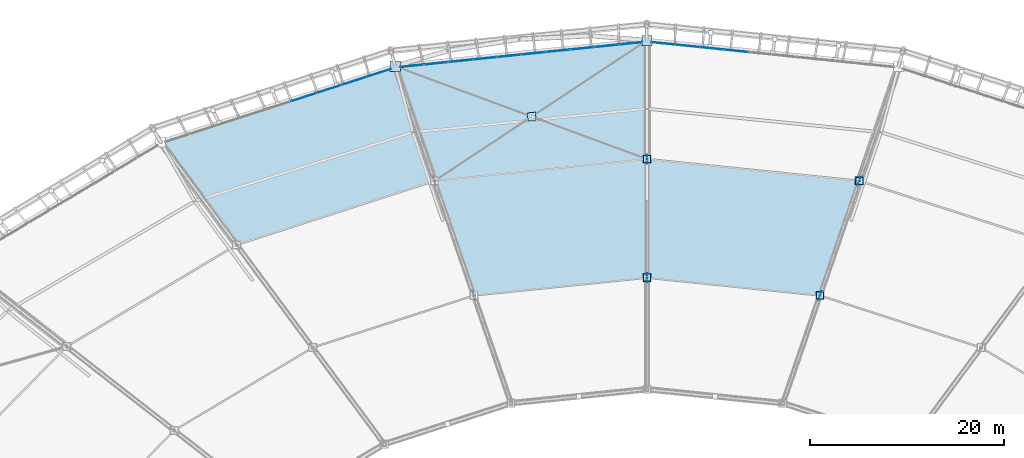
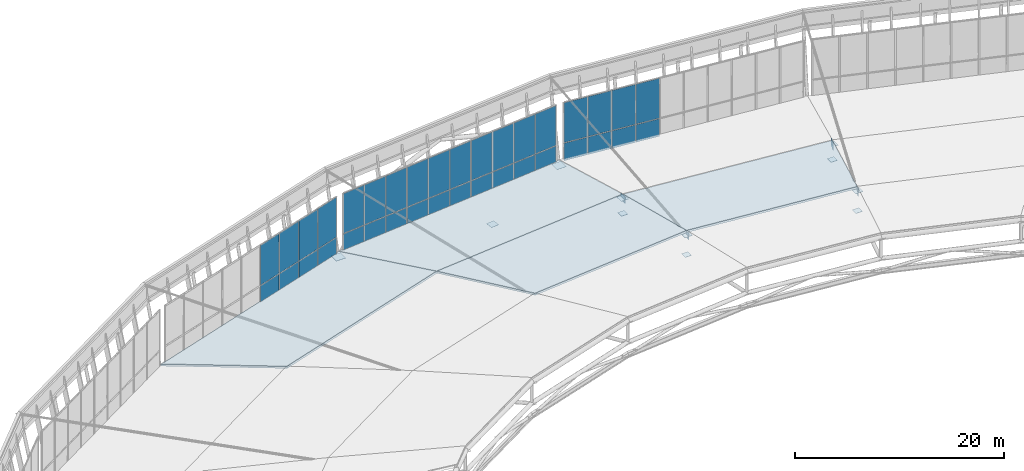
# One storey, part 97 of 115: 51 plates, 4 slabs, 5 elements without a shape of their own.
"""IFC4 building model written with IfcOpenShell, lengths in metres."""

from ifc_helpers import new_model, si_unit, direction, frame, origin, origin_2d, place, context, subcontext, project, spatial, polyline, rectangle, outline, extrude, material, layer, layer_set, type_object, element, aggregate, save


model = new_model("IFC4")

# Units and contexts
model_context = context("Model", 3, precision=1e-05, world=origin(), true_north=direction((0.0, 1.0)))
body_context = subcontext(model_context, "Body", "Model", "MODEL_VIEW")
ifc_project = project(units=[si_unit("LENGTHUNIT", "METRE"), si_unit("AREAUNIT", "SQUARE_METRE"), si_unit("VOLUMEUNIT", "CUBIC_METRE"), si_unit("PLANEANGLEUNIT", "RADIAN"), si_unit("MASSUNIT", "GRAM", prefix="KILO")], contexts=[model_context])

# Site, building, storey
site_placement = place(None, origin())
site = spatial("IfcSite", under=ifc_project, at=site_placement, CompositionType="ELEMENT")
building_placement = place(site_placement, origin())
building = spatial("IfcBuilding", under=site, at=building_placement, Name="Zlatoyarsky Gate Stadium", CompositionType="ELEMENT")
storey_placement = place(building_placement, frame((0.0, 0.0, 31.800048828125)))
storey = spatial("IfcBuildingStorey", under=building, at=storey_placement, Name="RF", CompositionType="ELEMENT", Elevation=31.800048828125)

# Curtain wall, plates
ifc_material_1 = material(Name="Thermally broken anodised aluminium curtain wall", Category="aluminium")
curtain_wall_type_1 = type_object("IfcCurtainWallType", Name="MONUMENTAL ARCHED GATE GLAZING UPPER", PredefinedType="USERDEFINED", material=ifc_material_1)
curtain_wall_1_placement = place(storey_placement, origin())
curtain_wall_1 = element("IfcCurtainWall", 1, at=curtain_wall_1_placement, inside=storey, type_object=curtain_wall_type_1, Name="Curtain wall CW-RF-06", ObjectType="ARCHED GATE GLAZING", PredefinedType="USERDEFINED")
ifc_material_2 = material(Name="Triple-glazed argon low-e architectural glass", Category="glass")
ifc_layer_1 = layer(ifc_material_2, 0.0458984375)
ifc_layer_set_1 = layer_set([ifc_layer_1], Name="Triple-glazed argon low-e architectural glass")
plate_type_1 = type_object("IfcPlateType", Name="ACOUSTIC LAMINATED GATE GLAZING PANEL 46", PredefinedType="CURTAIN_PANEL", material=ifc_layer_set_1)
plate_1_placement = place(storey_placement, frame((109.33056640625, 157.71630859375, 0.074951171875), z_axis=(0.0, 0.0, 1.0), x_axis=(-0.994771556649, -0.102125168703, 0.0)))
plate_1 = element("IfcPlate", 2, at=plate_1_placement, type_object=plate_type_1, Name="CW-AG2 panel 1.1", PredefinedType="CURTAIN_PANEL", context=body_context, shape_type="SweptSolid", body=[
    extrude(rectangle(XDim=2.40625, YDim=0.0458984375, at=origin_2d()), origin(), (0.0, 0.0, 1.0), 2.03759765625),
])
plate_2_placement = place(storey_placement, frame((109.33056640625, 157.71630859375, 2.1875), z_axis=(0.0, 0.0, 1.0), x_axis=(-0.994771556649, -0.102125168703, 0.0)))
plate_2 = element("IfcPlate", 3, at=plate_2_placement, type_object=plate_type_1, Name="CW-AG2 panel 1.2", PredefinedType="CURTAIN_PANEL", context=body_context, shape_type="SweptSolid", body=[
    extrude(rectangle(XDim=2.40625, YDim=0.0458984375, at=origin_2d()), origin(), (0.0, 0.0, 1.0), 4.637451171875),
])
plate_3_placement = place(storey_placement, frame((106.843505859375, 157.4609375, 0.074951171875), z_axis=(0.0, 0.0, 1.0), x_axis=(-0.994771556649, -0.102125168703, 0.0)))
plate_3 = element("IfcPlate", 4, at=plate_3_placement, type_object=plate_type_1, Name="CW-AG2 panel 2.1", PredefinedType="CURTAIN_PANEL", context=body_context, shape_type="SweptSolid", body=[
    extrude(rectangle(XDim=2.44384765625, YDim=0.0458984375, at=origin_2d()), origin(), (0.0, 0.0, 1.0), 2.03759765625),
])
plate_4_placement = place(storey_placement, frame((106.843505859375, 157.4609375, 2.1875), z_axis=(0.0, 0.0, 1.0), x_axis=(-0.994771556649, -0.102125168703, 0.0)))
plate_4 = element("IfcPlate", 5, at=plate_4_placement, type_object=plate_type_1, Name="CW-AG2 panel 2.2", PredefinedType="CURTAIN_PANEL", context=body_context, shape_type="SweptSolid", body=[
    extrude(rectangle(XDim=2.44384765625, YDim=0.0458984375, at=origin_2d()), origin(), (0.0, 0.0, 1.0), 4.637451171875),
])
plate_5_placement = place(storey_placement, frame((104.337890625, 157.20361328125, 0.074951171875), z_axis=(0.0, 0.0, 1.0), x_axis=(-0.994771556649, -0.102125168703, 0.0)))
plate_5 = element("IfcPlate", 6, at=plate_5_placement, type_object=plate_type_1, Name="CW-AG2 panel 3.1", PredefinedType="CURTAIN_PANEL", context=body_context, shape_type="SweptSolid", body=[
    extrude(rectangle(XDim=2.44384765625, YDim=0.0458984375, at=origin_2d()), origin(), (0.0, 0.0, 1.0), 2.03759765625),
])
plate_6_placement = place(storey_placement, frame((104.337890625, 157.20361328125, 2.1875), z_axis=(0.0, 0.0, 1.0), x_axis=(-0.994771556649, -0.102125168703, 0.0)))
plate_6 = element("IfcPlate", 7, at=plate_6_placement, type_object=plate_type_1, Name="CW-AG2 panel 3.2", PredefinedType="CURTAIN_PANEL", context=body_context, shape_type="SweptSolid", body=[
    extrude(rectangle(XDim=2.44384765625, YDim=0.0458984375, at=origin_2d()), origin(), (0.0, 0.0, 1.0), 4.637451171875),
])
plate_7_placement = place(storey_placement, frame((101.83203125, 156.946533203125, 0.074951171875), z_axis=(0.0, 0.0, 1.0), x_axis=(-0.994771556649, -0.102125168703, 0.0)))
plate_7 = element("IfcPlate", 8, at=plate_7_placement, type_object=plate_type_1, Name="CW-AG2 panel 4.1", PredefinedType="CURTAIN_PANEL", context=body_context, shape_type="SweptSolid", body=[
    extrude(rectangle(XDim=2.44384765625, YDim=0.0458984375, at=origin_2d()), origin(), (0.0, 0.0, 1.0), 2.03759765625),
])
plate_8_placement = place(storey_placement, frame((101.83203125, 156.946533203125, 2.1875), z_axis=(0.0, 0.0, 1.0), x_axis=(-0.994771556649, -0.102125168703, 0.0)))
plate_8 = element("IfcPlate", 9, at=plate_8_placement, type_object=plate_type_1, Name="CW-AG2 panel 4.2", PredefinedType="CURTAIN_PANEL", context=body_context, shape_type="SweptSolid", body=[
    extrude(rectangle(XDim=2.44384765625, YDim=0.0458984375, at=origin_2d()), origin(), (0.0, 0.0, 1.0), 4.637451171875),
])
plate_9_placement = place(storey_placement, frame((99.326416015625, 156.689208984375, 0.074951171875), z_axis=(0.0, 0.0, 1.0), x_axis=(-0.994771556649, -0.102125168703, 0.0)))
plate_9 = element("IfcPlate", 10, at=plate_9_placement, type_object=plate_type_1, Name="CW-AG2 panel 5.1", PredefinedType="CURTAIN_PANEL", context=body_context, shape_type="SweptSolid", body=[
    extrude(rectangle(XDim=2.44384765625, YDim=0.0458984375, at=origin_2d()), origin(), (0.0, 0.0, 1.0), 2.03759765625),
])
plate_10_placement = place(storey_placement, frame((99.326416015625, 156.689208984375, 2.1875), z_axis=(0.0, 0.0, 1.0), x_axis=(-0.994771556649, -0.102125168703, 0.0)))
plate_10 = element("IfcPlate", 11, at=plate_10_placement, type_object=plate_type_1, Name="CW-AG2 panel 5.2", PredefinedType="CURTAIN_PANEL", context=body_context, shape_type="SweptSolid", body=[
    extrude(rectangle(XDim=2.44384765625, YDim=0.0458984375, at=origin_2d()), origin(), (0.0, 0.0, 1.0), 4.637451171875),
])
plate_11_placement = place(storey_placement, frame((96.82080078125, 156.431884765625, 0.074951171875), z_axis=(0.0, 0.0, 1.0), x_axis=(-0.994771556649, -0.102125168703, 0.0)))
plate_11 = element("IfcPlate", 12, at=plate_11_placement, type_object=plate_type_1, Name="CW-AG2 panel 6.1", PredefinedType="CURTAIN_PANEL", context=body_context, shape_type="SweptSolid", body=[
    extrude(rectangle(XDim=2.44384765625, YDim=0.0458984375, at=origin_2d()), origin(), (0.0, 0.0, 1.0), 2.03759765625),
])
plate_12_placement = place(storey_placement, frame((96.82080078125, 156.431884765625, 2.1875), z_axis=(0.0, 0.0, 1.0), x_axis=(-0.994771556649, -0.102125168703, 0.0)))
plate_12 = element("IfcPlate", 13, at=plate_12_placement, type_object=plate_type_1, Name="CW-AG2 panel 6.2", PredefinedType="CURTAIN_PANEL", context=body_context, shape_type="SweptSolid", body=[
    extrude(rectangle(XDim=2.44384765625, YDim=0.0458984375, at=origin_2d()), origin(), (0.0, 0.0, 1.0), 4.637451171875),
])
plate_13_placement = place(storey_placement, frame((94.31494140625, 156.1748046875, 0.074951171875), z_axis=(0.0, 0.0, 1.0), x_axis=(-0.994771556649, -0.102125168703, 0.0)))
plate_13 = element("IfcPlate", 14, at=plate_13_placement, type_object=plate_type_1, Name="CW-AG2 panel 7.1", PredefinedType="CURTAIN_PANEL", context=body_context, shape_type="SweptSolid", body=[
    extrude(rectangle(XDim=2.44384765625, YDim=0.0458984375, at=origin_2d()), origin(), (0.0, 0.0, 1.0), 2.03759765625),
])
plate_14_placement = place(storey_placement, frame((94.31494140625, 156.1748046875, 2.1875), z_axis=(0.0, 0.0, 1.0), x_axis=(-0.994771556649, -0.102125168703, 0.0)))
plate_14 = element("IfcPlate", 15, at=plate_14_placement, type_object=plate_type_1, Name="CW-AG2 panel 7.2", PredefinedType="CURTAIN_PANEL", context=body_context, shape_type="SweptSolid", body=[
    extrude(rectangle(XDim=2.44384765625, YDim=0.0458984375, at=origin_2d()), origin(), (0.0, 0.0, 1.0), 4.637451171875),
])
plate_15_placement = place(storey_placement, frame((91.809326171875, 155.91748046875, 0.074951171875), z_axis=(0.0, 0.0, 1.0), x_axis=(-0.994771556649, -0.102125168703, 0.0)))
plate_15 = element("IfcPlate", 16, at=plate_15_placement, type_object=plate_type_1, Name="CW-AG2 panel 8.1", PredefinedType="CURTAIN_PANEL", context=body_context, shape_type="SweptSolid", body=[
    extrude(rectangle(XDim=2.44384765625, YDim=0.0458984375, at=origin_2d()), origin(), (0.0, 0.0, 1.0), 2.03759765625),
])
plate_16_placement = place(storey_placement, frame((91.809326171875, 155.91748046875, 2.1875), z_axis=(0.0, 0.0, 1.0), x_axis=(-0.994771556649, -0.102125168703, 0.0)))
plate_16 = element("IfcPlate", 17, at=plate_16_placement, type_object=plate_type_1, Name="CW-AG2 panel 8.2", PredefinedType="CURTAIN_PANEL", context=body_context, shape_type="SweptSolid", body=[
    extrude(rectangle(XDim=2.44384765625, YDim=0.0458984375, at=origin_2d()), origin(), (0.0, 0.0, 1.0), 4.637451171875),
])
plate_17_placement = place(storey_placement, frame((89.3037109375, 155.66015625, 0.074951171875), z_axis=(0.0, 0.0, 1.0), x_axis=(-0.994771556649, -0.102125168703, 0.0)))
plate_17 = element("IfcPlate", 18, at=plate_17_placement, type_object=plate_type_1, Name="CW-AG2 panel 9.1", PredefinedType="CURTAIN_PANEL", context=body_context, shape_type="SweptSolid", body=[
    extrude(rectangle(XDim=2.44384765625, YDim=0.0458984375, at=origin_2d()), origin(), (0.0, 0.0, 1.0), 2.03759765625),
])
plate_18_placement = place(storey_placement, frame((89.3037109375, 155.66015625, 2.1875), z_axis=(0.0, 0.0, 1.0), x_axis=(-0.994771556649, -0.102125168703, 0.0)))
plate_18 = element("IfcPlate", 19, at=plate_18_placement, type_object=plate_type_1, Name="CW-AG2 panel 9.2", PredefinedType="CURTAIN_PANEL", context=body_context, shape_type="SweptSolid", body=[
    extrude(rectangle(XDim=2.44384765625, YDim=0.0458984375, at=origin_2d()), origin(), (0.0, 0.0, 1.0), 4.637451171875),
])
plate_19_placement = place(storey_placement, frame((86.816650390625, 155.405029296875, 0.074951171875), z_axis=(0.0, 0.0, 1.0), x_axis=(-0.994771556649, -0.102125168703, 0.0)))
plate_19 = element("IfcPlate", 20, at=plate_19_placement, type_object=plate_type_1, Name="CW-AG2 panel 10.1", PredefinedType="CURTAIN_PANEL", context=body_context, shape_type="SweptSolid", body=[
    extrude(rectangle(XDim=2.40625, YDim=0.0458984375, at=origin_2d()), origin(), (0.0, 0.0, 1.0), 2.03759765625),
])
plate_20_placement = place(storey_placement, frame((86.816650390625, 155.405029296875, 2.1875), z_axis=(0.0, 0.0, 1.0), x_axis=(-0.994771556649, -0.102125168703, 0.0)))
plate_20 = element("IfcPlate", 21, at=plate_20_placement, type_object=plate_type_1, Name="CW-AG2 panel 10.2", PredefinedType="CURTAIN_PANEL", context=body_context, shape_type="SweptSolid", body=[
    extrude(rectangle(XDim=2.40625, YDim=0.0458984375, at=origin_2d()), origin(), (0.0, 0.0, 1.0), 4.637451171875),
])
aggregate(curtain_wall_1, [plate_1, plate_2, plate_3, plate_4, plate_5, plate_6, plate_7, plate_8, plate_9, plate_10, plate_11, plate_12, plate_13, plate_14, plate_15, plate_16, plate_17, plate_18, plate_19, plate_20])

# Roof, slab
ifc_material_3 = material(Name="Standing-seam aluminium-zinc roofing with mineral wool insulation", Category="aluminium")
ifc_layer_2 = layer(ifc_material_3, 0.080078125)
ifc_layer_set_2 = layer_set([ifc_layer_2], Name="Standing-seam aluminium-zinc roofing with mineral wool insulation")
roof_type = type_object("IfcRoofType", Name="STADIUM BARREL VAULT ROOF ASSEMBLY", PredefinedType="BARREL_ROOF", material=ifc_layer_set_2)
roof_1_placement = place(storey_placement, origin())
roof_1 = element("IfcRoof", 22, at=roof_1_placement, inside=storey, type_object=roof_type, Name="Stadium barrel arch roof sector 2", PredefinedType="BARREL_ROOF")
ifc_material_4 = material(Name="Concrete C40/50", Category="concrete")
ifc_layer_3 = layer(ifc_material_4, 0.199951171875)
ifc_layer_set_3 = layer_set([ifc_layer_3], Name="Concrete C40/50")
slab_type = type_object("IfcSlabType", Name="COMPOSITE STADIUM ROOF DECK SLAB 200", PredefinedType="ROOF", material=ifc_layer_set_3)
slab_1_placement = place(storey_placement, frame((132.840087890625, 143.581298828125, 3.599853515625), z_axis=(0.025658712336, 0.249859215045, 0.967942148653), x_axis=(-0.994769061755, 0.102149467801, 1.557277e-06)))
slab_1 = element("IfcSlab", 23, at=slab_1_placement, type_object=slab_type, Name="Stadium arched roof deck sector 05 bay 2", PredefinedType="ROOF", context=body_context, shape_type="SweptSolid", body=[
    extrude(outline(polyline([(0.0, 0.0), (21.954931877115506, 0.0), (20.70836911967818, 12.541599680499349), (2.8237749582387486, 12.541846686090652), (0.0, 0.0)])), origin(), (0.0, 0.0, -1.0), 0.199951171875),
])
aggregate(roof_1, [slab_1])

# Roof, slabs
roof_2_placement = place(storey_placement, origin())
roof_2 = element("IfcRoof", 24, at=roof_2_placement, inside=storey, type_object=roof_type, Name="Stadium barrel arch roof sector 3", PredefinedType="BARREL_ROOF")
slab_2_placement = place(storey_placement, frame((111.0, 158.027587890625, 0.199951171875), z_axis=(-0.027549713933, 0.26827762125, 0.962947626405), x_axis=(-0.994768228243, -0.102157584529, 1.052656e-06)))
slab_2 = element("IfcSlab", 25, at=slab_2_placement, type_object=slab_type, Name="Stadium arched roof deck sector 06 bay 1", PredefinedType="ROOF", context=body_context, shape_type="SweptSolid", body=[
    extrude(outline(polyline([(0.0, 0.0), (26.02531947140747, 4.440892098500626e-16), (23.201627110592522, 12.606686405062462), (1.2466952342657893, 12.606873682931376), (0.0, 0.0)])), origin(), (0.0, 0.0, -1.0), 0.199951171875),
])
slab_3_placement = place(storey_placement, frame((111.0, 145.823974609375, 3.599853515625), z_axis=(-0.025658712336, 0.249859215045, 0.967942148653), x_axis=(-0.994769061755, -0.102149467801, -1.557277e-06)))
slab_3 = element("IfcSlab", 26, at=slab_3_placement, type_object=slab_type, Name="Stadium arched roof deck sector 06 bay 2", PredefinedType="ROOF", context=body_context, shape_type="SweptSolid", body=[
    extrude(outline(polyline([(0.0, 0.0), (21.954931877115506, 0.0), (19.13115691887676, 12.541846686090654), (1.2465627574373217, 12.541599680499349), (0.0, 0.0)])), origin(), (0.0, 0.0, -1.0), 0.199951171875),
])
slab_4_placement = place(storey_placement, frame((85.11083984375, 155.368896484375, 0.199951171875), z_axis=(-0.080926633941, 0.25045970369, 0.964738729785), x_axis=(-0.951561589275, -0.307458195234, -8.16732e-07)))
slab_4 = element("IfcSlab", 27, at=slab_4_placement, type_object=slab_type, Name="Stadium arched roof deck sector 07 bay 1", PredefinedType="ROOF", context=body_context, shape_type="SweptSolid", body=[
    extrude(outline(polyline([(0.0, 0.0), (25.352803638085895, 0.0), (21.158837114479507, 12.91716689231748), (-0.22875091544180007, 12.917021858119801), (0.0, 0.0)])), origin(), (0.0, 0.0, -1.0), 0.199951171875),
])
aggregate(roof_2, [slab_2, slab_3, slab_4])

# Plates
ifc_material_5 = material(Name="Steel S355", Category="steel")
ifc_layer_4 = layer(ifc_material_5, 0.02392578125)
ifc_layer_set_4 = layer_set([ifc_layer_4], Name="Steel S355")
plate_type_2 = type_object("IfcPlateType", Name="STEEL COMPRESSION RING NODE CAP SHEET 24", PredefinedType="SHEET", material=ifc_layer_set_4)
for number, where, z_axis, x_axis, name in (
    (28, (111.0, 158.027587890625, -0.4619140625), (0.0, 0.0, 1.0), (1.0, 0.0, 0.0), "Node closure plate ND-CR1 NCAP-CR-06"),
    (29, (85.111083984375, 155.368896484375, -0.4619140625), (0.0, 0.0, 1.0), (1.0, 0.0, 0.0), "Node closure plate ND-CR1 NCAP-CR-07"),
):
    element("IfcPlate", number, at=place(storey_placement, frame(where, z_axis=z_axis, x_axis=x_axis)), inside=storey, type_object=plate_type_2, Name=name, PredefinedType="SHEET", context=body_context, shape_type="SweptSolid", body=[
        extrude(rectangle(XDim=1.050048828125, YDim=1.050048828125, at=origin_2d()), origin(), (0.0, 0.0, 1.0), 0.02392578125),
    ])
ifc_layer_5 = layer(ifc_material_5, 0.02392578125)
ifc_layer_set_5 = layer_set([ifc_layer_5], Name="Steel S355")
plate_type_3 = type_object("IfcPlateType", Name="STEEL HOLLOW CHORD SPLICE SHEET 24", PredefinedType="SHEET", material=ifc_layer_set_5)
plate_21_placement = place(storey_placement, frame((132.840087890625, 143.581298828125, 3.137939453125), z_axis=(0.0, 0.0, 1.0), x_axis=(1.0, 0.0, 0.0)))
element("IfcPlate", 30, at=plate_21_placement, inside=storey, type_object=plate_type_3, Name="Node closure plate ND-SP1 NCAP-TCH-05-1", PredefinedType="SHEET", context=body_context, shape_type="SweptSolid", body=[
    extrude(rectangle(XDim=0.85009765625, YDim=0.85009765625, at=origin_2d()), origin(), (0.0, 0.0, 1.0), 0.02392578125),
])
plate_22_placement = place(storey_placement, frame((132.840087890625, 143.581298828125, 1.337890625), z_axis=(0.0, 0.0, 1.0), x_axis=(1.0, 0.0, 0.0)))
element("IfcPlate", 31, at=plate_22_placement, inside=storey, type_object=plate_type_3, Name="Node closure plate ND-SP1 NCAP-BCH-05-1", PredefinedType="SHEET", context=body_context, shape_type="SweptSolid", body=[
    extrude(rectangle(XDim=0.719970703125, YDim=0.719970703125, at=origin_2d()), origin(), (0.0, 0.0, 1.0), 0.02392578125),
])
plate_23_placement = place(storey_placement, frame((128.791015625, 131.79345703125, 6.2880859375), z_axis=(0.0, 0.0, 1.0), x_axis=(1.0, 0.0, 0.0)))
element("IfcPlate", 32, at=plate_23_placement, inside=storey, type_object=plate_type_3, Name="Node closure plate ND-SP1 NCAP-TCH-05-2", PredefinedType="SHEET", context=body_context, shape_type="SweptSolid", body=[
    extrude(rectangle(XDim=0.85009765625, YDim=0.85009765625, at=origin_2d()), origin(), (0.0, 0.0, 1.0), 0.02392578125),
])
plate_24_placement = place(storey_placement, frame((128.791015625, 131.79345703125, 3.93798828125), z_axis=(0.0, 0.0, 1.0), x_axis=(1.0, 0.0, 0.0)))
element("IfcPlate", 33, at=plate_24_placement, inside=storey, type_object=plate_type_3, Name="Node closure plate ND-SP1 NCAP-BCH-05-2", PredefinedType="SHEET", context=body_context, shape_type="SweptSolid", body=[
    extrude(rectangle(XDim=0.719970703125, YDim=0.719970703125, at=origin_2d()), origin(), (0.0, 0.0, 1.0), 0.02392578125),
])
plate_25_placement = place(storey_placement, frame((111.0, 145.82421875, 3.137939453125), z_axis=(0.0, 0.0, 1.0), x_axis=(1.0, 0.0, 0.0)))
element("IfcPlate", 34, at=plate_25_placement, inside=storey, type_object=plate_type_3, Name="Node closure plate ND-SP1 NCAP-TCH-06-1", PredefinedType="SHEET", context=body_context, shape_type="SweptSolid", body=[
    extrude(rectangle(XDim=0.85009765625, YDim=0.85009765625, at=origin_2d()), origin(), (0.0, 0.0, 1.0), 0.02392578125),
])
plate_26_placement = place(storey_placement, frame((111.0, 145.82421875, 1.337890625), z_axis=(0.0, 0.0, 1.0), x_axis=(1.0, 0.0, 0.0)))
element("IfcPlate", 35, at=plate_26_placement, inside=storey, type_object=plate_type_3, Name="Node closure plate ND-SP1 NCAP-BCH-06-1", PredefinedType="SHEET", context=body_context, shape_type="SweptSolid", body=[
    extrude(rectangle(XDim=0.719970703125, YDim=0.719970703125, at=origin_2d()), origin(), (0.0, 0.0, 1.0), 0.02392578125),
])
plate_27_placement = place(storey_placement, frame((111.0, 133.62060546875, 6.2880859375), z_axis=(0.0, 0.0, 1.0), x_axis=(1.0, 0.0, 0.0)))
element("IfcPlate", 36, at=plate_27_placement, inside=storey, type_object=plate_type_3, Name="Node closure plate ND-SP1 NCAP-TCH-06-2", PredefinedType="SHEET", context=body_context, shape_type="SweptSolid", body=[
    extrude(rectangle(XDim=0.85009765625, YDim=0.85009765625, at=origin_2d()), origin(), (0.0, 0.0, 1.0), 0.02392578125),
])
plate_28_placement = place(storey_placement, frame((111.0, 133.62060546875, 3.93798828125), z_axis=(0.0, 0.0, 1.0), x_axis=(1.0, 0.0, 0.0)))
element("IfcPlate", 37, at=plate_28_placement, inside=storey, type_object=plate_type_3, Name="Node closure plate ND-SP1 NCAP-BCH-06-2", PredefinedType="SHEET", context=body_context, shape_type="SweptSolid", body=[
    extrude(rectangle(XDim=0.719970703125, YDim=0.719970703125, at=origin_2d()), origin(), (0.0, 0.0, 1.0), 0.02392578125),
])
ifc_layer_6 = layer(ifc_material_5, 0.031982421875)
ifc_layer_set_6 = layer_set([ifc_layer_6], Name="Steel S355")
plate_type_4 = type_object("IfcPlateType", Name="STEEL RADIAL TRUSS GUSSET PLATE 32", PredefinedType="USERDEFINED", material=ifc_layer_set_6)
for number, where, z_axis, x_axis, name in (
    (38, (132.840087890625, 143.581298828125, 2.7900390625), (0.0, 0.0, 1.0), (-0.324866508477, -0.945759880556, 0.0), "Radial truss gusset plate ND-WB1 05.1"),
    (39, (128.791015625, 131.79345703125, 5.93994140625), (0.0, 0.0, 1.0), (-0.324866508477, -0.945759880556, 0.0), "Radial truss gusset plate ND-WB1 05.2"),
    (40, (111.0, 145.823974609375, 2.7900390625), (0.0, 0.0, 1.0), (0.0, -1.0, 0.0), "Radial truss gusset plate ND-WB1 06.1"),
    (41, (111.0, 133.62060546875, 5.93994140625), (0.0, 0.0, 1.0), (0.0, -1.0, 0.0), "Radial truss gusset plate ND-WB1 06.2"),
):
    element("IfcPlate", number, at=place(storey_placement, frame(where, z_axis=z_axis, x_axis=x_axis)), inside=storey, type_object=plate_type_4, Name=name, ObjectType="GUSSET PLATE", PredefinedType="USERDEFINED", context=body_context, shape_type="SweptSolid", body=[
        extrude(rectangle(XDim=0.919921875, YDim=0.031982421875, at=origin_2d()), origin(), (0.0, 0.0, 1.0), 0.719970703125),
    ])
ifc_layer_7 = layer(ifc_material_5, 0.02392578125)
ifc_layer_set_7 = layer_set([ifc_layer_7], Name="Steel S355")
plate_type_5 = type_object("IfcPlateType", Name="STEEL X BRACE CROSSING NODE PLATE 24", PredefinedType="USERDEFINED", material=ifc_layer_set_7)
plate_29_placement = place(storey_placement, frame((99.153564453125, 150.191650390625, 1.582275390625), z_axis=(0.0, 0.0, 1.0), x_axis=(-0.994774337437, -0.102098078224, 0.0)))
element("IfcPlate", 42, at=plate_29_placement, inside=storey, type_object=plate_type_5, Name="Roof wind X-brace crossing gusset plate ND-XB1 06", ObjectType="GUSSET PLATE", PredefinedType="USERDEFINED", context=body_context, shape_type="SweptSolid", body=[
    extrude(rectangle(XDim=0.840087890625, YDim=0.840087890625, at=origin_2d()), origin(), (0.0, 0.0, 1.0), 0.02392578125),
])

# Curtain wall, plates
curtain_wall_type_2 = type_object("IfcCurtainWallType", Name="UNITISED SKYBOX RING GLAZING L05", PredefinedType="USERDEFINED", material=ifc_material_1)
curtain_wall_2_placement = place(storey_placement, origin())
curtain_wall_2 = element("IfcCurtainWall", 43, at=curtain_wall_2_placement, inside=storey, type_object=curtain_wall_type_2, Name="Curtain wall CW-RF-05", ObjectType="UNITISED GLAZING", PredefinedType="USERDEFINED")
ifc_layer_8 = layer(ifc_material_2, 0.0380859375)
ifc_layer_set_8 = layer_set([ifc_layer_8], Name="Triple-glazed argon low-e architectural glass")
plate_type_6 = type_object("IfcPlateType", Name="TRIPLE GLAZED LOW E CURTAIN PANEL 38", PredefinedType="CURTAIN_PANEL", material=ifc_layer_set_8)
plate_30_placement = place(storey_placement, frame((120.16796875, 156.946533203125, 0.06494140625), z_axis=(0.0, 0.0, 1.0), x_axis=(-0.994771556649, 0.102125168703, 0.0)))
plate_30 = element("IfcPlate", 44, at=plate_30_placement, type_object=plate_type_6, Name="CW-UG5 panel 7.1", PredefinedType="CURTAIN_PANEL", context=body_context, shape_type="SweptSolid", body=[
    extrude(rectangle(XDim=2.453857421875, YDim=0.0380859375, at=origin_2d()), origin(), (0.0, 0.0, 1.0), 2.052490234375),
])
plate_31_placement = place(storey_placement, frame((120.16796875, 156.946533203125, 2.1826171875), z_axis=(0.0, 0.0, 1.0), x_axis=(-0.994771556649, 0.102125168703, 0.0)))
plate_31 = element("IfcPlate", 45, at=plate_31_placement, type_object=plate_type_6, Name="CW-UG5 panel 7.2", PredefinedType="CURTAIN_PANEL", context=body_context, shape_type="SweptSolid", body=[
    extrude(rectangle(XDim=2.453857421875, YDim=0.0380859375, at=origin_2d()), origin(), (0.0, 0.0, 1.0), 4.652587890625),
])
plate_32_placement = place(storey_placement, frame((117.662109375, 157.20361328125, 0.06494140625), z_axis=(0.0, 0.0, 1.0), x_axis=(-0.994771556649, 0.102125168703, 0.0)))
plate_32 = element("IfcPlate", 46, at=plate_32_placement, type_object=plate_type_6, Name="CW-UG5 panel 8.1", PredefinedType="CURTAIN_PANEL", context=body_context, shape_type="SweptSolid", body=[
    extrude(rectangle(XDim=2.453857421875, YDim=0.0380859375, at=origin_2d()), origin(), (0.0, 0.0, 1.0), 2.052490234375),
])
plate_33_placement = place(storey_placement, frame((117.662109375, 157.20361328125, 2.1826171875), z_axis=(0.0, 0.0, 1.0), x_axis=(-0.994771556649, 0.102125168703, 0.0)))
plate_33 = element("IfcPlate", 47, at=plate_33_placement, type_object=plate_type_6, Name="CW-UG5 panel 8.2", PredefinedType="CURTAIN_PANEL", context=body_context, shape_type="SweptSolid", body=[
    extrude(rectangle(XDim=2.453857421875, YDim=0.0380859375, at=origin_2d()), origin(), (0.0, 0.0, 1.0), 4.652587890625),
])
plate_34_placement = place(storey_placement, frame((115.156494140625, 157.4609375, 0.06494140625), z_axis=(0.0, 0.0, 1.0), x_axis=(-0.994771556649, 0.102125168703, 0.0)))
plate_34 = element("IfcPlate", 48, at=plate_34_placement, type_object=plate_type_6, Name="CW-UG5 panel 9.1", PredefinedType="CURTAIN_PANEL", context=body_context, shape_type="SweptSolid", body=[
    extrude(rectangle(XDim=2.453857421875, YDim=0.0380859375, at=origin_2d()), origin(), (0.0, 0.0, 1.0), 2.052490234375),
])
plate_35_placement = place(storey_placement, frame((115.156494140625, 157.4609375, 2.1826171875), z_axis=(0.0, 0.0, 1.0), x_axis=(-0.994771556649, 0.102125168703, 0.0)))
plate_35 = element("IfcPlate", 49, at=plate_35_placement, type_object=plate_type_6, Name="CW-UG5 panel 9.2", PredefinedType="CURTAIN_PANEL", context=body_context, shape_type="SweptSolid", body=[
    extrude(rectangle(XDim=2.453857421875, YDim=0.0380859375, at=origin_2d()), origin(), (0.0, 0.0, 1.0), 4.652587890625),
])
plate_36_placement = place(storey_placement, frame((112.6669921875, 157.716552734375, 0.06494140625), z_axis=(0.0, 0.0, 1.0), x_axis=(-0.994771556649, 0.102125168703, 0.0)))
plate_36 = element("IfcPlate", 50, at=plate_36_placement, type_object=plate_type_6, Name="CW-UG5 panel 10.1", PredefinedType="CURTAIN_PANEL", context=body_context, shape_type="SweptSolid", body=[
    extrude(rectangle(XDim=2.42138671875, YDim=0.0380859375, at=origin_2d()), origin(), (0.0, 0.0, 1.0), 2.052490234375),
])
plate_37_placement = place(storey_placement, frame((112.6669921875, 157.716552734375, 2.1826171875), z_axis=(0.0, 0.0, 1.0), x_axis=(-0.994771556649, 0.102125168703, 0.0)))
plate_37 = element("IfcPlate", 51, at=plate_37_placement, type_object=plate_type_6, Name="CW-UG5 panel 10.2", PredefinedType="CURTAIN_PANEL", context=body_context, shape_type="SweptSolid", body=[
    extrude(rectangle(XDim=2.42138671875, YDim=0.0380859375, at=origin_2d()), origin(), (0.0, 0.0, 1.0), 4.652587890625),
])
aggregate(curtain_wall_2, [plate_30, plate_31, plate_32, plate_33, plate_34, plate_35, plate_36, plate_37])

curtain_wall_3_placement = place(storey_placement, origin())
curtain_wall_3 = element("IfcCurtainWall", 52, at=curtain_wall_3_placement, inside=storey, type_object=curtain_wall_type_2, Name="Curtain wall CW-RF-07", ObjectType="UNITISED GLAZING", PredefinedType="USERDEFINED")
plate_38_placement = place(storey_placement, frame((83.455078125, 154.68701171875, 0.06494140625), z_axis=(0.0, 0.0, 1.0), x_axis=(-0.951595836439, -0.307352182475, 0.0)))
plate_38 = element("IfcPlate", 53, at=plate_38_placement, type_object=plate_type_6, Name="CW-UG5 panel 1.1", PredefinedType="CURTAIN_PANEL", context=body_context, shape_type="SweptSolid", body=[
    extrude(rectangle(XDim=2.62646484375, YDim=0.0380859375, at=origin_2d()), origin(), (0.0, 0.0, 1.0), 2.052490234375),
])
plate_39_placement = place(storey_placement, frame((83.455078125, 154.68701171875, 2.1826171875), z_axis=(0.0, 0.0, 1.0), x_axis=(-0.951595836439, -0.307352182475, 0.0)))
plate_39 = element("IfcPlate", 54, at=plate_39_placement, type_object=plate_type_6, Name="CW-UG5 panel 1.2", PredefinedType="CURTAIN_PANEL", context=body_context, shape_type="SweptSolid", body=[
    extrude(rectangle(XDim=2.62646484375, YDim=0.0380859375, at=origin_2d()), origin(), (0.0, 0.0, 1.0), 4.652587890625),
])
plate_40_placement = place(storey_placement, frame((80.87841796875, 153.854736328125, 0.06494140625), z_axis=(0.0, 0.0, 1.0), x_axis=(-0.951595836439, -0.307352182475, 0.0)))
plate_40 = element("IfcPlate", 55, at=plate_40_placement, type_object=plate_type_6, Name="CW-UG5 panel 2.1", PredefinedType="CURTAIN_PANEL", context=body_context, shape_type="SweptSolid", body=[
    extrude(rectangle(XDim=2.658935546875, YDim=0.0380859375, at=origin_2d()), origin(), (0.0, 0.0, 1.0), 2.052490234375),
])
plate_41_placement = place(storey_placement, frame((80.87841796875, 153.854736328125, 2.1826171875), z_axis=(0.0, 0.0, 1.0), x_axis=(-0.951595836439, -0.307352182475, 0.0)))
plate_41 = element("IfcPlate", 56, at=plate_41_placement, type_object=plate_type_6, Name="CW-UG5 panel 2.2", PredefinedType="CURTAIN_PANEL", context=body_context, shape_type="SweptSolid", body=[
    extrude(rectangle(XDim=2.658935546875, YDim=0.0380859375, at=origin_2d()), origin(), (0.0, 0.0, 1.0), 4.652587890625),
])
plate_42_placement = place(storey_placement, frame((78.2861328125, 153.017578125, 0.06494140625), z_axis=(0.0, 0.0, 1.0), x_axis=(-0.951595836439, -0.307352182475, 0.0)))
plate_42 = element("IfcPlate", 57, at=plate_42_placement, type_object=plate_type_6, Name="CW-UG5 panel 3.1", PredefinedType="CURTAIN_PANEL", context=body_context, shape_type="SweptSolid", body=[
    extrude(rectangle(XDim=2.658935546875, YDim=0.0380859375, at=origin_2d()), origin(), (0.0, 0.0, 1.0), 2.052490234375),
])
plate_43_placement = place(storey_placement, frame((78.2861328125, 153.017578125, 2.1826171875), z_axis=(0.0, 0.0, 1.0), x_axis=(-0.951595836439, -0.307352182475, 0.0)))
plate_43 = element("IfcPlate", 58, at=plate_43_placement, type_object=plate_type_6, Name="CW-UG5 panel 3.2", PredefinedType="CURTAIN_PANEL", context=body_context, shape_type="SweptSolid", body=[
    extrude(rectangle(XDim=2.658935546875, YDim=0.0380859375, at=origin_2d()), origin(), (0.0, 0.0, 1.0), 4.652587890625),
])
plate_44_placement = place(storey_placement, frame((75.69384765625, 152.180419921875, 0.06494140625), z_axis=(0.0, 0.0, 1.0), x_axis=(-0.951595836439, -0.307352182475, 0.0)))
plate_44 = element("IfcPlate", 59, at=plate_44_placement, type_object=plate_type_6, Name="CW-UG5 panel 4.1", PredefinedType="CURTAIN_PANEL", context=body_context, shape_type="SweptSolid", body=[
    extrude(rectangle(XDim=2.658935546875, YDim=0.0380859375, at=origin_2d()), origin(), (0.0, 0.0, 1.0), 2.052490234375),
])
plate_45_placement = place(storey_placement, frame((75.69384765625, 152.180419921875, 2.1826171875), z_axis=(0.0, 0.0, 1.0), x_axis=(-0.951595836439, -0.307352182475, 0.0)))
plate_45 = element("IfcPlate", 60, at=plate_45_placement, type_object=plate_type_6, Name="CW-UG5 panel 4.2", PredefinedType="CURTAIN_PANEL", context=body_context, shape_type="SweptSolid", body=[
    extrude(rectangle(XDim=2.658935546875, YDim=0.0380859375, at=origin_2d()), origin(), (0.0, 0.0, 1.0), 4.652587890625),
])
aggregate(curtain_wall_3, [plate_38, plate_39, plate_40, plate_41, plate_42, plate_43, plate_44, plate_45])

save(model, "model.ifc")
